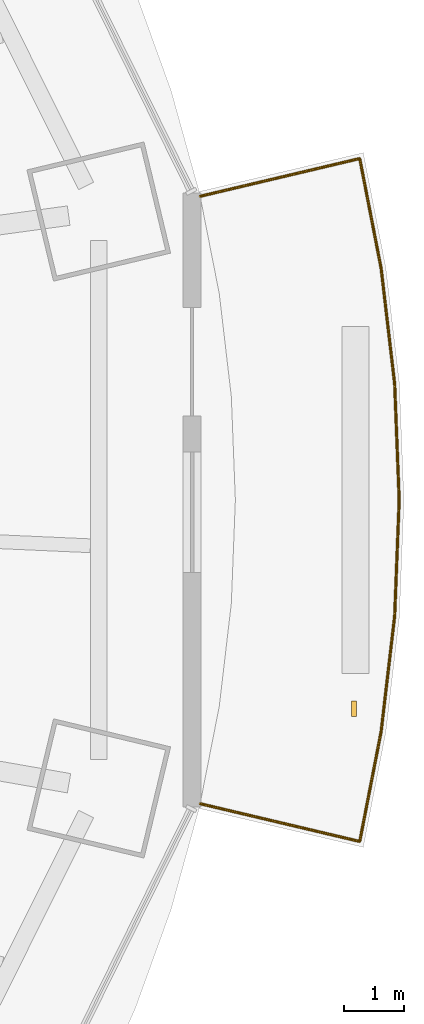
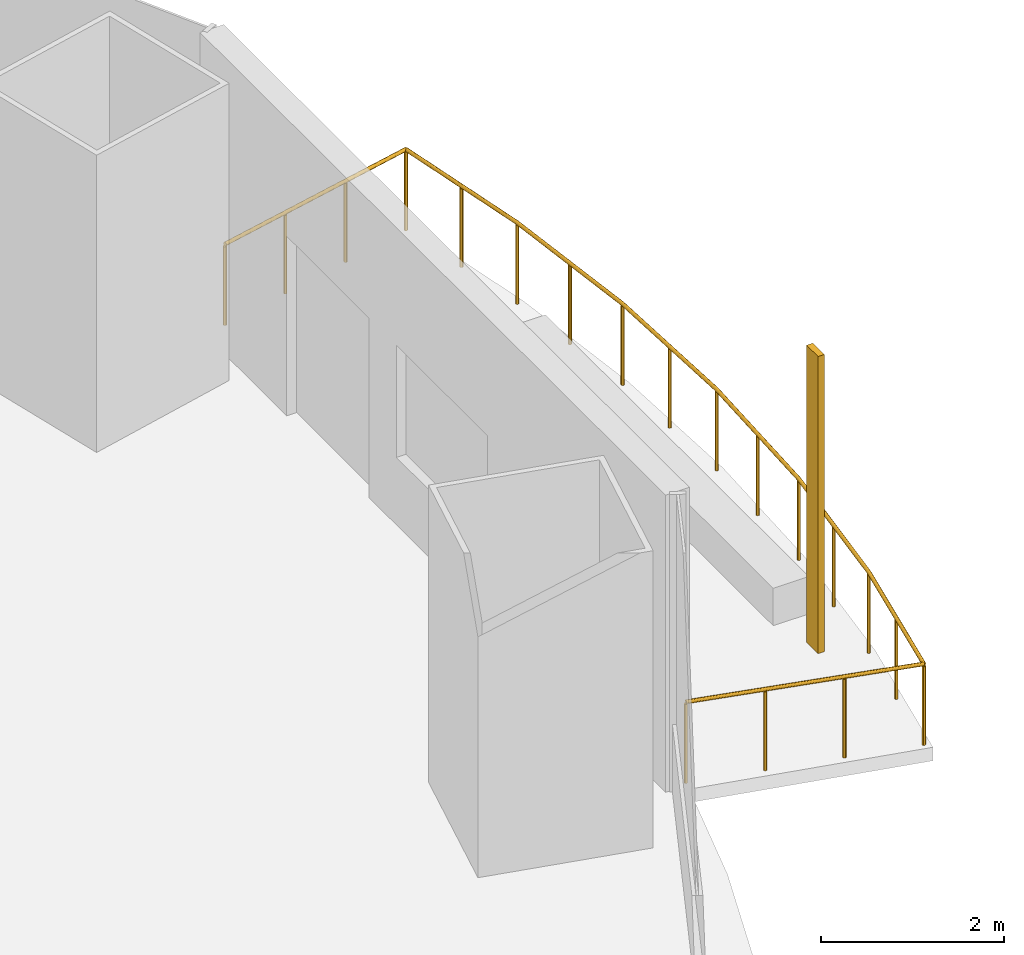
# One storey, part 19 of 20: 1 railing, 1 shading device.
"""IFC4 building model written with IfcOpenShell, lengths in metres."""

from ifc_helpers import new_model, si_unit, direction, frame, origin, origin_2d, place, context, subcontext, project, spatial, rectangle, circle, extrude, material, material_profile, profile_set, type_object, element, save


model = new_model("IFC4")

# Units and contexts
model_context = context("Model", 3, precision=1e-05, world=origin(), true_north=direction((0.0, 1.0)))
body_context = subcontext(model_context, "Body", "Model", "MODEL_VIEW")
ifc_project = project(units=[si_unit("LENGTHUNIT", "METRE"), si_unit("AREAUNIT", "SQUARE_METRE"), si_unit("VOLUMEUNIT", "CUBIC_METRE"), si_unit("PLANEANGLEUNIT", "RADIAN"), si_unit("MASSUNIT", "GRAM", prefix="KILO")], contexts=[model_context])

# Site, building, storey
site_placement = place(None, origin())
site = spatial("IfcSite", under=ifc_project, at=site_placement, CompositionType="ELEMENT")
building_placement = place(site_placement, origin())
building = spatial("IfcBuilding", under=site, at=building_placement, Name="Marenthal Gate Tower", CompositionType="ELEMENT")
storey_placement = place(building_placement, frame((0.0, 0.0, 210.85009765625)))
storey = spatial("IfcBuildingStorey", under=building, at=storey_placement, Name="L46", CompositionType="ELEMENT", Elevation=210.85009765625)

# Railing
ifc_material_1 = material(Name="Stainless steel", Category="steel")
railing_type = type_object("IfcRailingType", Name="Balcony guard 1100", PredefinedType="GUARDRAIL", material=ifc_material_1)
railing_placement = place(storey_placement, frame((32.468017578125, 4.443359375, 0.0)))
element("IfcRailing", 1, at=railing_placement, inside=storey, type_object=railing_type, Name="Balcony guard L46 bay 16", PredefinedType="GUARDRAIL", context=body_context, shape_type="SweptSolid", body=[
    extrude(circle(Radius=0.02392578125, at=origin_2d()), frame((0.0, 0.0, 1.076171875), z_axis=(0.973052153091, 0.230114897669, -0.014718737604), x_axis=(-0.230139827907, 0.97315757183, 0.0)), (0.0, 0.0, 1.0), 2.72021484375),
    extrude(circle(Radius=0.02392578125, at=origin_2d()), frame((2.64697265625, 0.6259765625, 1.0361328125), z_axis=(0.19120755082, -0.981549628144, 0.0), x_axis=(0.981549628144, 0.19120755082, 0.0)), (0.0, 0.0, 1.0), 1.8564453125),
    extrude(circle(Radius=0.02392578125, at=origin_2d()), frame((3.001953125, -1.1962890625, 1.0361328125), z_axis=(0.116379345388, -0.993204836862, 0.0), x_axis=(0.993204836862, 0.116379345388, 0.0)), (0.0, 0.0, 1.0), 1.93212890625),
    extrude(circle(Radius=0.02392578125, at=origin_2d()), frame((3.226806640625, -3.115234375, 1.0361328125), z_axis=(0.038967595119, -0.999240474826, 0.0), x_axis=(0.999240474826, 0.038967595119, 0.0)), (0.0, 0.0, 1.0), 1.9296875),
    extrude(circle(Radius=0.02392578125, at=origin_2d()), frame((3.302001953125, -5.04345703125, 1.0361328125), z_axis=(-0.038972522105, -0.999240282675, 0.0), x_axis=(0.999240282675, -0.038972522105, 0.0)), (0.0, 0.0, 1.0), 1.929443359375),
    extrude(circle(Radius=0.02392578125, at=origin_2d()), frame((3.226806640625, -6.971435546875, 1.0361328125), z_axis=(-0.116379345388, -0.993204836862, 0.0), x_axis=(0.993204836862, -0.116379345388, 0.0)), (0.0, 0.0, 1.0), 1.93212890625),
    extrude(circle(Radius=0.02392578125, at=origin_2d()), frame((3.001953125, -8.890380859375, 1.0361328125), z_axis=(-0.191182873219, -0.981554435061, 0.0), x_axis=(0.981554435061, -0.191182873219, 0.0)), (0.0, 0.0, 1.0), 1.856689453125),
    extrude(circle(Radius=0.02392578125, at=origin_2d()), frame((2.64697265625, -10.712890625, 1.0361328125), z_axis=(-0.97303205389, 0.230199891, 0.014718433577), x_axis=(-0.230224829417, -0.973137466096, 0.0)), (0.0, 0.0, 1.0), 2.72021484375),
    extrude(circle(Radius=0.02099609375, at=origin_2d()), origin(), (0.0, 0.0, 1.0), 1.052001953125),
    extrude(circle(Radius=0.02099609375, at=origin_2d()), frame((0.88232421875, 0.208740234375, -0.013427734375)), (0.0, 0.0, 1.0), 1.052001953125),
    extrude(circle(Radius=0.02099609375, at=origin_2d()), frame((1.7646484375, 0.417236328125, -0.026611328125)), (0.0, 0.0, 1.0), 1.052001953125),
    extrude(circle(Radius=0.02099609375, at=origin_2d()), frame((2.64697265625, 0.6259765625, -0.0400390625)), (0.0, 0.0, 1.0), 1.052001953125),
    extrude(circle(Radius=0.02099609375, at=origin_2d()), frame((2.824462890625, -0.28515625, -0.0400390625)), (0.0, 0.0, 1.0), 1.052001953125),
    extrude(circle(Radius=0.02099609375, at=origin_2d()), frame((3.001953125, -1.1962890625, -0.0400390625)), (0.0, 0.0, 1.0), 1.052001953125),
    extrude(circle(Radius=0.02099609375, at=origin_2d()), frame((3.1142578125, -2.15576171875, -0.0400390625)), (0.0, 0.0, 1.0), 1.052001953125),
    extrude(circle(Radius=0.02099609375, at=origin_2d()), frame((3.226806640625, -3.115234375, -0.0400390625)), (0.0, 0.0, 1.0), 1.052001953125),
    extrude(circle(Radius=0.02099609375, at=origin_2d()), frame((3.264404296875, -4.079345703125, -0.0400390625)), (0.0, 0.0, 1.0), 1.052001953125),
    extrude(circle(Radius=0.02099609375, at=origin_2d()), frame((3.302001953125, -5.04345703125, -0.0400390625)), (0.0, 0.0, 1.0), 1.052001953125),
    extrude(circle(Radius=0.02099609375, at=origin_2d()), frame((3.264404296875, -6.00732421875, -0.0400390625)), (0.0, 0.0, 1.0), 1.052001953125),
    extrude(circle(Radius=0.02099609375, at=origin_2d()), frame((3.226806640625, -6.971435546875, -0.0400390625)), (0.0, 0.0, 1.0), 1.052001953125),
    extrude(circle(Radius=0.02099609375, at=origin_2d()), frame((3.1142578125, -7.930908203125, -0.0400390625)), (0.0, 0.0, 1.0), 1.052001953125),
    extrude(circle(Radius=0.02099609375, at=origin_2d()), frame((3.001953125, -8.890380859375, -0.0400390625)), (0.0, 0.0, 1.0), 1.052001953125),
    extrude(circle(Radius=0.02099609375, at=origin_2d()), frame((2.824462890625, -9.8017578125, -0.0400390625)), (0.0, 0.0, 1.0), 1.052001953125),
    extrude(circle(Radius=0.02099609375, at=origin_2d()), frame((2.64697265625, -10.712890625, -0.0400390625)), (0.0, 0.0, 1.0), 1.052001953125),
    extrude(circle(Radius=0.02099609375, at=origin_2d()), frame((1.7646484375, -10.504150390625, -0.026611328125)), (0.0, 0.0, 1.0), 1.052001953125),
    extrude(circle(Radius=0.02099609375, at=origin_2d()), frame((0.88232421875, -10.29541015625, -0.013427734375)), (0.0, 0.0, 1.0), 1.052001953125),
    extrude(circle(Radius=0.02099609375, at=origin_2d()), frame((0.0, -10.086669921875, 0.0)), (0.0, 0.0, 1.0), 1.052001953125),
])

# Shading device
ifc_material_2 = material(Name="Terracotta", Category="masonry")
ifc_material_profile = material_profile(ifc_material_2, rectangle(XDim=0.25, YDim=0.080078125, at=origin_2d()), Name="Terracotta baguette 250x80")
ifc_profile_set = profile_set([ifc_material_profile], Name="Terracotta")
shading_device_type = type_object("IfcShadingDeviceType", Name="Terracotta BAGUETTE SCREEN 250x80", PredefinedType="USERDEFINED", material=ifc_profile_set)
shading_device_placement = place(storey_placement, frame((35.01806640625, -4.06640625, -0.0400390625), z_axis=(0.0, 0.0, 1.0), x_axis=(0.0, 1.0, 0.0)))
element("IfcShadingDevice", 2, at=shading_device_placement, inside=storey, type_object=shading_device_type, Name="Terracotta BAGUETTE L46 bay 16L", ObjectType="BAGUETTE SCREEN", PredefinedType="USERDEFINED", context=body_context, shape_type="SweptSolid", body=[
    extrude(rectangle(XDim=0.25, YDim=0.080078125, at=origin_2d()), origin(), (0.0, 0.0, 1.0), 3.969970703125),
])

save(model, "model.ifc")
